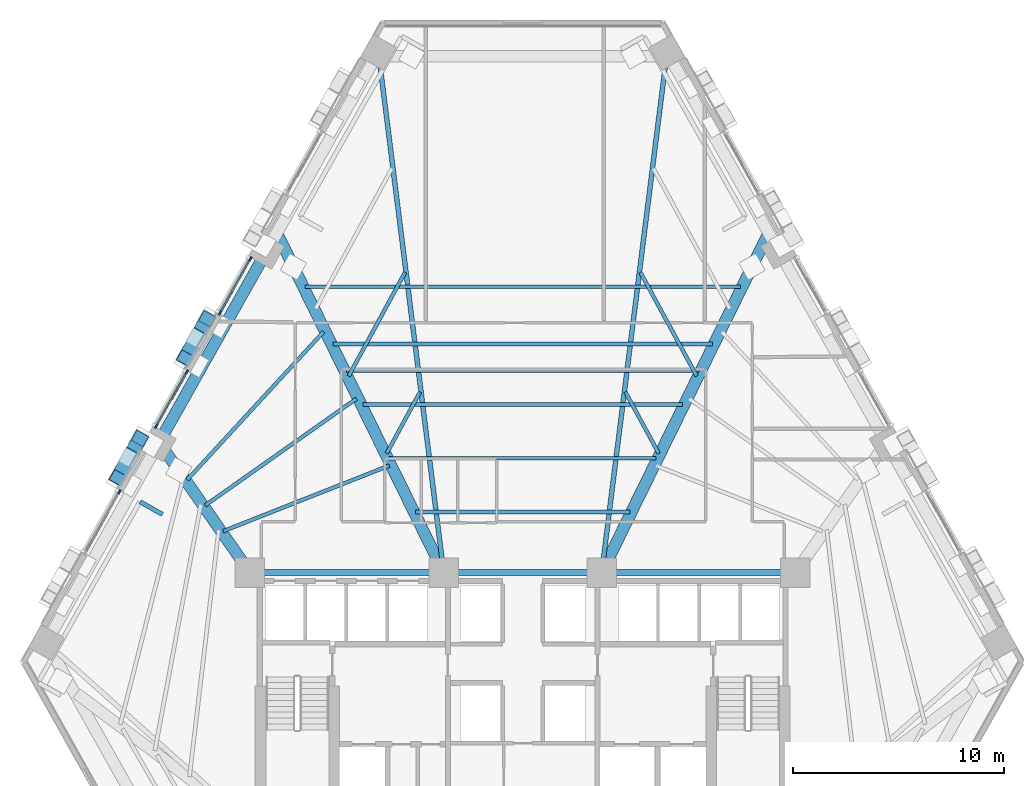
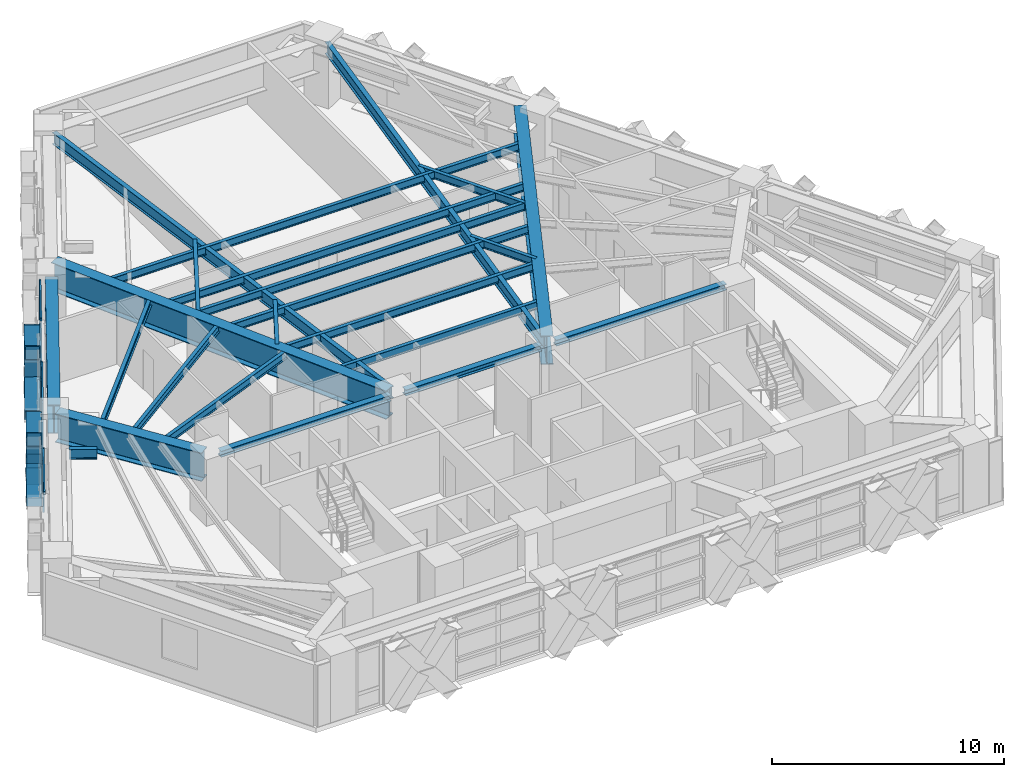
# One storey, part 3 of 14: 23 beams, 18 members, 3 elements without a shape of their own.
"""IFC4 building model written with IfcOpenShell, lengths in metres."""

from ifc_helpers import new_model, si_unit, direction, frame, origin, origin_2d, place, context, subcontext, project, spatial, rectangle, hollow_rectangle, i_section, extrude, material, material_profile, profile_set, type_object, element, aggregate, save


model = new_model("IFC4")

# Units and contexts
model_context = context("Model", 3, precision=1e-05, world=origin(), true_north=direction((0.0, 1.0)))
body_context = subcontext(model_context, "Body", "Model", "MODEL_VIEW")
ifc_project = project(units=[si_unit("LENGTHUNIT", "METRE"), si_unit("AREAUNIT", "SQUARE_METRE"), si_unit("VOLUMEUNIT", "CUBIC_METRE"), si_unit("PLANEANGLEUNIT", "RADIAN"), si_unit("MASSUNIT", "GRAM", prefix="KILO")], contexts=[model_context])

# Site, building, storey
site_placement = place(None, origin())
site = spatial("IfcSite", under=ifc_project, at=site_placement, CompositionType="ELEMENT")
building_placement = place(site_placement, origin())
building = spatial("IfcBuilding", under=site, at=building_placement, Name="Quenlor Broadcast Tower", CompositionType="ELEMENT")
storey_placement = place(building_placement, frame((0.0, 0.0, 73.10009765625)))
storey = spatial("IfcBuildingStorey", under=building, at=storey_placement, Name="L19", CompositionType="ELEMENT", Elevation=73.10009765625)

# Curtain wall, member
ifc_material_1 = material(Name="Architectural Terracotta and Low-E Glazing", Category="masonry")
curtain_wall_type = type_object("IfcCurtainWallType", Name="Unitised Terracotta Curtain Wall System Z1", PredefinedType="NOTDEFINED", material=ifc_material_1)
curtain_wall_1_placement = place(storey_placement, origin())
curtain_wall_1 = element("IfcCurtainWall", 1, at=curtain_wall_1_placement, inside=storey, type_object=curtain_wall_type, Name="L19 Curtain Wall CW1 (L19-NWA-G1)", PredefinedType="NOTDEFINED")
ifc_material_2 = material(Name="Aluminium 6063-T6", Category="aluminium")
ifc_material_profile_1 = material_profile(ifc_material_2, rectangle(XDim=0.080078125, YDim=0.219970703125, at=origin_2d()))
ifc_profile_set_1 = profile_set([ifc_material_profile_1], Name="Aluminium 6063-T6 MULL80x220")
member_type_1 = type_object("IfcMemberType", Name="CW1 Aluminium Mullion MULL_CW1", PredefinedType="MULLION", material=ifc_profile_set_1)
member_1_placement = place(storey_placement, frame((-19.146484375, -0.964599609375, 0.0), z_axis=(0.0, 0.0, 1.0), x_axis=(-0.871577906875, 0.49025702672, 0.0)))
member_1 = element("IfcMember", 2, at=member_1_placement, type_object=member_type_1, Name="CW1 mullion 2", PredefinedType="MULLION", context=body_context, shape_type="SweptSolid", body=[
    extrude(rectangle(XDim=0.080078125, YDim=0.219970703125, at=origin_2d()), origin(), (0.0, 0.0, 1.0), 3.25),
])

# Curtain wall, members
curtain_wall_2_placement = place(storey_placement, origin())
curtain_wall_2 = element("IfcCurtainWall", 3, at=curtain_wall_2_placement, inside=storey, type_object=curtain_wall_type, Name="L19 Curtain Wall CW1 (L19-NW-G1)", PredefinedType="NOTDEFINED")
member_2_placement = place(storey_placement, frame((-17.39501953125, 2.149169921875, 0.0), z_axis=(0.0, 0.0, 1.0), x_axis=(-0.871568481465, 0.490273782815, 0.0)))
member_2 = element("IfcMember", 4, at=member_2_placement, type_object=member_type_1, Name="CW1 mullion 1", PredefinedType="MULLION", context=body_context, shape_type="SweptSolid", body=[
    extrude(rectangle(XDim=0.080078125, YDim=0.219970703125, at=origin_2d()), origin(), (0.0, 0.0, 1.0), 3.25),
])
member_3_placement = place(storey_placement, frame((-15.94970703125, 4.718505859375, 0.0), z_axis=(0.0, 0.0, 1.0), x_axis=(-0.871568481465, 0.490273782815, 0.0)))
member_3 = element("IfcMember", 5, at=member_3_placement, type_object=member_type_1, Name="CW1 mullion 2", PredefinedType="MULLION", context=body_context, shape_type="SweptSolid", body=[
    extrude(rectangle(XDim=0.080078125, YDim=0.219970703125, at=origin_2d()), origin(), (0.0, 0.0, 1.0), 3.25),
])

curtain_wall_3_placement = place(storey_placement, origin())
curtain_wall_3 = element("IfcCurtainWall", 6, at=curtain_wall_3_placement, inside=storey, type_object=curtain_wall_type, Name="L19 Curtain Wall CW1 (L19-NW-G2)", PredefinedType="NOTDEFINED")
member_4_placement = place(storey_placement, frame((-14.371337890625, 7.524658203125, 0.0), z_axis=(0.0, 0.0, 1.0), x_axis=(-0.871568481465, 0.490273782815, 0.0)))
member_4 = element("IfcMember", 7, at=member_4_placement, type_object=member_type_1, Name="CW1 mullion 1", PredefinedType="MULLION", context=body_context, shape_type="SweptSolid", body=[
    extrude(rectangle(XDim=0.080078125, YDim=0.219970703125, at=origin_2d()), origin(), (0.0, 0.0, 1.0), 3.25),
])
member_5_placement = place(storey_placement, frame((-12.926025390625, 10.09423828125, 0.0), z_axis=(0.0, 0.0, 1.0), x_axis=(-0.871568481465, 0.490273782815, 0.0)))
member_5 = element("IfcMember", 8, at=member_5_placement, type_object=member_type_1, Name="CW1 mullion 2", PredefinedType="MULLION", context=body_context, shape_type="SweptSolid", body=[
    extrude(rectangle(XDim=0.080078125, YDim=0.219970703125, at=origin_2d()), origin(), (0.0, 0.0, 1.0), 3.25),
])

# Member
ifc_material_3 = material(Name="Aluminium 6063-T6", Category="aluminium")
ifc_material_profile_2 = material_profile(ifc_material_3, rectangle(XDim=0.080078125, YDim=0.179931640625, at=origin_2d()))
ifc_profile_set_2 = profile_set([ifc_material_profile_2], Name="Aluminium 6063-T6 TRAN80x180")
member_type_2 = type_object("IfcMemberType", Name="CW1 Aluminium Transom TRAN_CW1", PredefinedType="USERDEFINED", material=ifc_profile_set_2)
member_6_placement = place(storey_placement, frame((-20.7451171875, -3.806884765625, 3.2099609375), z_axis=(0.490250443683, 0.871581609758, 0.0), x_axis=(-0.871581609758, 0.490250443683, 0.0)))
member_6 = element("IfcMember", 9, at=member_6_placement, type_object=member_type_2, Name="CW1 transom 1.3", ObjectType="TRANSOM", PredefinedType="USERDEFINED", context=body_context, shape_type="SweptSolid", body=[
    extrude(rectangle(XDim=0.080078125, YDim=0.179931640625, at=origin_2d()), origin(), (0.0, 0.0, 1.0), 3.220947265625),
])

aggregate(curtain_wall_1, [member_1, member_6])

member_7_placement = place(storey_placement, frame((-17.37548828125, 2.183837890625, 0.039794921875), z_axis=(0.490297611432, 0.871555076988, 0.0), x_axis=(-0.871555076988, 0.490297611432, 0.0)))
member_7 = element("IfcMember", 10, at=member_7_placement, type_object=member_type_2, Name="CW1 transom 1.1", ObjectType="TRANSOM", PredefinedType="USERDEFINED", context=body_context, shape_type="SweptSolid", body=[
    extrude(rectangle(XDim=0.080078125, YDim=0.179931640625, at=origin_2d()), origin(), (0.0, 0.0, 1.0), 2.8681640625),
])

member_8_placement = place(storey_placement, frame((-17.37548828125, 2.183837890625, 0.949951171875), z_axis=(0.490297611432, 0.871555076988, 0.0), x_axis=(-0.871555076988, 0.490297611432, 0.0)))
member_8 = element("IfcMember", 11, at=member_8_placement, type_object=member_type_2, Name="CW1 transom 1.2", ObjectType="TRANSOM", PredefinedType="USERDEFINED", context=body_context, shape_type="SweptSolid", body=[
    extrude(rectangle(XDim=0.080078125, YDim=0.179931640625, at=origin_2d()), origin(), (0.0, 0.0, 1.0), 2.8681640625),
])

member_9_placement = place(storey_placement, frame((-17.37548828125, 2.183837890625, 3.2099609375), z_axis=(0.490297611432, 0.871555076988, 0.0), x_axis=(-0.871555076988, 0.490297611432, 0.0)))
member_9 = element("IfcMember", 12, at=member_9_placement, type_object=member_type_2, Name="CW1 transom 1.3", ObjectType="TRANSOM", PredefinedType="USERDEFINED", context=body_context, shape_type="SweptSolid", body=[
    extrude(rectangle(XDim=0.080078125, YDim=0.179931640625, at=origin_2d()), origin(), (0.0, 0.0, 1.0), 2.8681640625),
])

aggregate(curtain_wall_2, [member_2, member_3, member_7, member_8, member_9])

member_10_placement = place(storey_placement, frame((-14.3515625, 7.5595703125, 0.039794921875), z_axis=(0.490232948684, 0.871591450179, 0.0), x_axis=(-0.871591450179, 0.490232948684, 0.0)))
member_10 = element("IfcMember", 13, at=member_10_placement, type_object=member_type_2, Name="CW1 transom 1.1", ObjectType="TRANSOM", PredefinedType="USERDEFINED", context=body_context, shape_type="SweptSolid", body=[
    extrude(rectangle(XDim=0.080078125, YDim=0.179931640625, at=origin_2d()), origin(), (0.0, 0.0, 1.0), 2.867919921875),
])

member_11_placement = place(storey_placement, frame((-14.3515625, 7.5595703125, 0.949951171875), z_axis=(0.490232948684, 0.871591450179, 0.0), x_axis=(-0.871591450179, 0.490232948684, 0.0)))
member_11 = element("IfcMember", 14, at=member_11_placement, type_object=member_type_2, Name="CW1 transom 1.2", ObjectType="TRANSOM", PredefinedType="USERDEFINED", context=body_context, shape_type="SweptSolid", body=[
    extrude(rectangle(XDim=0.080078125, YDim=0.179931640625, at=origin_2d()), origin(), (0.0, 0.0, 1.0), 2.867919921875),
])

member_12_placement = place(storey_placement, frame((-14.3515625, 7.5595703125, 3.2099609375), z_axis=(0.490232948684, 0.871591450179, 0.0), x_axis=(-0.871591450179, 0.490232948684, 0.0)))
member_12 = element("IfcMember", 15, at=member_12_placement, type_object=member_type_2, Name="CW1 transom 1.3", ObjectType="TRANSOM", PredefinedType="USERDEFINED", context=body_context, shape_type="SweptSolid", body=[
    extrude(rectangle(XDim=0.080078125, YDim=0.179931640625, at=origin_2d()), origin(), (0.0, 0.0, 1.0), 2.867919921875),
])

aggregate(curtain_wall_3, [member_4, member_5, member_10, member_11, member_12])

# Beams
ifc_material_4 = material(Name="Steel S355", Category="steel")
ifc_material_profile_3 = material_profile(ifc_material_4, i_section(OverallWidth=0.304931640625, OverallDepth=0.30810546875, WebThickness=0.010009765625, FlangeThickness=0.015380859375, FilletRadius=0.0166015625, at=origin_2d()))
ifc_profile_set_3 = profile_set([ifc_material_profile_3], Name="Steel S355 310UC96.8")
beam_type_1 = type_object("IfcBeamType", Name="Core Header Beam Steel S355 310UC96.8", PredefinedType="BEAM", material=ifc_profile_set_3)
beam_1_placement = place(storey_placement, frame((-3.389892578125, -4.800048828125, 3.095947265625), z_axis=(1.0, 0.0, 0.0), x_axis=(0.0, 1.0, 0.0)))
element("IfcBeam", 16, at=beam_1_placement, inside=storey, type_object=beam_type_1, Name="L19 Core Header Beam 2", PredefinedType="BEAM", context=body_context, shape_type="SweptSolid", body=[
    extrude(i_section(OverallWidth=0.304931640625, OverallDepth=0.30810546875, WebThickness=0.010009765625, FlangeThickness=0.015380859375, FilletRadius=0.0166015625, at=origin_2d()), origin(), (0.0, 0.0, 1.0), 6.77978515625),
])
ifc_material_5 = material(Name="Steel S355", Category="steel")
ifc_material_profile_4 = material_profile(ifc_material_5, i_section(OverallWidth=0.306884765625, OverallDepth=0.314697265625, WebThickness=0.011962890625, FlangeThickness=0.018798828125, FilletRadius=0.0166015625, at=origin_2d()))
ifc_profile_set_4 = profile_set([ifc_material_profile_4], Name="Steel S355 310UC118")
beam_type_2 = type_object("IfcBeamType", Name="Core Tie Beam Steel S355 310UC118", PredefinedType="BEAM", material=ifc_profile_set_4)
for number, where, z_axis, x_axis, name in (
    (17, (-12.590087890625, -4.800048828125, 3.092529296875), (1.0, 0.0, 0.0), (0.0, 1.0, 0.0), "L19 Core Tie Beam 1"),
    (18, (4.110107421875, -4.800048828125, 3.092529296875), (1.0, 0.0, 0.0), (0.0, 1.0, 0.0), "L19 Core Tie Beam 3"),
):
    element("IfcBeam", number, at=place(storey_placement, frame(where, z_axis=z_axis, x_axis=x_axis)), inside=storey, type_object=beam_type_2, Name=name, PredefinedType="BEAM", context=body_context, shape_type="SweptSolid", body=[
        extrude(i_section(OverallWidth=0.306884765625, OverallDepth=0.314697265625, WebThickness=0.011962890625, FlangeThickness=0.018798828125, FilletRadius=0.0166015625, at=origin_2d()), origin(), (0.0, 0.0, 1.0), 8.47998046875),
    ])

# Members
ifc_material_6 = material(Name="Steel S355", Category="steel")
ifc_material_profile_5 = material_profile(ifc_material_6, hollow_rectangle(XDim=0.679931640625, YDim=0.679931640625, WallThickness=0.034912109375, at=origin_2d()))
ifc_profile_set_5 = profile_set([ifc_material_profile_5], Name="Steel S355 RHS680x680x35")
member_type_3 = type_object("IfcMemberType", Name="Perimeter Diagonal Lattice Brace Z1 Steel S355 RHS680x35", PredefinedType="BRACE", material=ifc_profile_set_5)
member_13_placement = place(storey_placement, frame((-19.22802734375, -0.3037109375, -0.1201171875), z_axis=(0.256430888508, 0.455784649039, 0.8523517778), x_axis=(-0.871533027316, 0.490336804959, 0.0)))
element("IfcMember", 19, at=member_13_placement, inside=storey, type_object=member_type_3, Name="L19 Perimeter Diamond Lattice NW-C2XA", PredefinedType="BRACE", context=body_context, shape_type="SweptSolid", body=[
    extrude(hollow_rectangle(XDim=0.679931640625, YDim=0.679931640625, WallThickness=0.034912109375, at=origin_2d()), origin(), (0.0, 0.0, 1.0), 4.106201171875),
])
member_14_placement = place(storey_placement, frame((-18.175048828125, 1.56787109375, -0.1201171875), z_axis=(-0.256451721554, -0.455763724789, 0.852356698618), x_axis=(0.871506382136, -0.490384161547, 0.0)))
element("IfcMember", 20, at=member_14_placement, inside=storey, type_object=member_type_3, Name="L19 Perimeter Diamond Lattice NW-C2XB1", PredefinedType="BRACE", context=body_context, shape_type="SweptSolid", body=[
    extrude(hollow_rectangle(XDim=0.679931640625, YDim=0.679931640625, WallThickness=0.034912109375, at=origin_2d()), origin(), (0.0, 0.0, 1.0), 1.802978515625),
])
member_15_placement = place(storey_placement, frame((-18.765625, 0.518310546875, 1.843017578125), z_axis=(-0.256435894674, -0.455870991217, 0.852304095549), x_axis=(0.871568623966, -0.49027352949, 0.0)))
element("IfcMember", 21, at=member_15_placement, inside=storey, type_object=member_type_3, Name="L19 Perimeter Diamond Lattice NW-C2XB2", PredefinedType="BRACE", context=body_context, shape_type="SweptSolid", body=[
    extrude(hollow_rectangle(XDim=0.679931640625, YDim=0.679931640625, WallThickness=0.034912109375, at=origin_2d()), origin(), (0.0, 0.0, 1.0), 1.80322265625),
])
member_16_placement = place(storey_placement, frame((-16.03125, 5.37939453125, -0.1201171875), z_axis=(0.256368393635, 0.455838699906, 0.852341672343), x_axis=(-0.871608931644, 0.490201866865, 0.0)))
element("IfcMember", 22, at=member_16_placement, inside=storey, type_object=member_type_3, Name="L19 Perimeter Diamond Lattice NW-C3XA", PredefinedType="BRACE", context=body_context, shape_type="SweptSolid", body=[
    extrude(hollow_rectangle(XDim=0.679931640625, YDim=0.679931640625, WallThickness=0.034912109375, at=origin_2d()), origin(), (0.0, 0.0, 1.0), 4.1064453125),
])
for number, where, z_axis, x_axis, name in (
    (23, (-14.978515625, 7.251220703125, -0.1201171875), (-0.256309397679, -0.455886815629, 0.852333681135), (0.871679226863, -0.490076856683, 0.0), "L19 Perimeter Diamond Lattice NW-C3XB1"),
    (24, (-15.56884765625, 6.201416015625, 1.843017578125), (-0.256435894674, -0.455870991217, 0.852304095549), (0.871568623966, -0.49027352949, 0.0), "L19 Perimeter Diamond Lattice NW-C3XB2"),
):
    element("IfcMember", number, at=place(storey_placement, frame(where, z_axis=z_axis, x_axis=x_axis)), inside=storey, type_object=member_type_3, Name=name, PredefinedType="BRACE", context=body_context, shape_type="SweptSolid", body=[
        extrude(hollow_rectangle(XDim=0.679931640625, YDim=0.679931640625, WallThickness=0.034912109375, at=origin_2d()), origin(), (0.0, 0.0, 1.0), 1.80322265625),
    ])

# Beams
ifc_material_7 = material(Name="Steel S355", Category="steel")
ifc_material_profile_6 = material_profile(ifc_material_7, i_section(OverallWidth=0.208984375, OverallDepth=0.532958984375, WebThickness=0.01025390625, FlangeThickness=0.015625, FilletRadius=0.013916015625, at=origin_2d()))
ifc_profile_set_6 = profile_set([ifc_material_profile_6], Name="Steel S355 530UB92.4")
beam_type_3 = type_object("IfcBeamType", Name="Perimeter Spandrel Beam Z1 Steel S355 530UB92.4", PredefinedType="SPANDREL", material=ifc_profile_set_6)
beam_2_placement = place(storey_placement, frame((-17.105224609375, -2.038818359375, 2.9833984375), z_axis=(-0.871661741425, 0.490107956001, 0.0), x_axis=(-0.490107956001, -0.871661741425, 0.0)))
element("IfcBeam", 25, at=beam_2_placement, inside=storey, type_object=beam_type_3, Name="L19 Lattice Sill Radial Tie NWA2", PredefinedType="SPANDREL", context=body_context, shape_type="SweptSolid", body=[
    extrude(i_section(OverallWidth=0.208984375, OverallDepth=0.532958984375, WebThickness=0.01025390625, FlangeThickness=0.015625, FilletRadius=0.013916015625, at=origin_2d()), origin(), (0.0, 0.0, 1.0), 1.2099609375),
])
ifc_material_8 = material(Name="Steel S355", Category="steel")
ifc_material_profile_7 = material_profile(ifc_material_8, i_section(OverallWidth=0.177978515625, OverallDepth=0.406494140625, WebThickness=0.0078125, FlangeThickness=0.0126953125, FilletRadius=0.011474609375, at=origin_2d()))
ifc_profile_set_7 = profile_set([ifc_material_profile_7], Name="Steel S355 410UB59.7")
beam_type_4 = type_object("IfcBeamType", Name="Tower Composite Joist Z1 Steel S355 410UB59.7", PredefinedType="JOIST", material=ifc_profile_set_7)
beam_3_placement = place(storey_placement, frame((-5.08203125, -1.927490234375, 3.046630859375), z_axis=(1.0, 0.0, 0.0), x_axis=(0.0, 1.0, 0.0)))
element("IfcBeam", 26, at=beam_3_placement, inside=storey, type_object=beam_type_4, Name="L19 Secondary Composite Joist 1", PredefinedType="JOIST", context=body_context, shape_type="SweptSolid", body=[
    extrude(i_section(OverallWidth=0.177978515625, OverallDepth=0.406494140625, WebThickness=0.0078125, FlangeThickness=0.0126953125, FilletRadius=0.011474609375, at=origin_2d()), origin(), (0.0, 0.0, 1.0), 10.1640625),
])
beam_4_placement = place(storey_placement, frame((-8.376708984375, 4.775390625, 3.046630859375), z_axis=(1.0, 0.0, 0.0), x_axis=(0.0, 1.0, 0.0)))
element("IfcBeam", 27, at=beam_4_placement, inside=storey, type_object=beam_type_4, Name="L19 Secondary Composite Joist 2", PredefinedType="JOIST", context=body_context, shape_type="SweptSolid", body=[
    extrude(i_section(OverallWidth=0.177978515625, OverallDepth=0.406494140625, WebThickness=0.0078125, FlangeThickness=0.0126953125, FilletRadius=0.011474609375, at=origin_2d()), origin(), (0.0, 0.0, 1.0), 16.75341796875),
])
beam_5_placement = place(storey_placement, frame((-6.337158203125, 0.626220703125, 3.046630859375), z_axis=(1.0, 0.0, 0.0), x_axis=(0.0, 1.0, 0.0)))
element("IfcBeam", 28, at=beam_5_placement, inside=storey, type_object=beam_type_4, Name="L19 Secondary Composite Joist 3", PredefinedType="JOIST", context=body_context, shape_type="SweptSolid", body=[
    extrude(i_section(OverallWidth=0.177978515625, OverallDepth=0.406494140625, WebThickness=0.0078125, FlangeThickness=0.0126953125, FilletRadius=0.011474609375, at=origin_2d()), origin(), (0.0, 0.0, 1.0), 12.67431640625),
])
beam_6_placement = place(storey_placement, frame((-7.59228515625, 3.179443359375, 3.046630859375), z_axis=(1.0, 0.0, 0.0), x_axis=(0.0, 1.0, 0.0)))
element("IfcBeam", 29, at=beam_6_placement, inside=storey, type_object=beam_type_4, Name="L19 Secondary Composite Joist 4", PredefinedType="JOIST", context=body_context, shape_type="SweptSolid", body=[
    extrude(i_section(OverallWidth=0.177978515625, OverallDepth=0.406494140625, WebThickness=0.0078125, FlangeThickness=0.0126953125, FilletRadius=0.011474609375, at=origin_2d()), origin(), (0.0, 0.0, 1.0), 15.1845703125),
])
beam_7_placement = place(storey_placement, frame((-9.004150390625, 6.05224609375, 3.046630859375), z_axis=(1.0, 0.0, 0.0), x_axis=(0.0, 1.0, 0.0)))
element("IfcBeam", 30, at=beam_7_placement, inside=storey, type_object=beam_type_4, Name="L19 Secondary Composite Joist 5", PredefinedType="JOIST", context=body_context, shape_type="SweptSolid", body=[
    extrude(i_section(OverallWidth=0.177978515625, OverallDepth=0.406494140625, WebThickness=0.0078125, FlangeThickness=0.0126953125, FilletRadius=0.011474609375, at=origin_2d()), origin(), (0.0, 0.0, 1.0), 18.00830078125),
])
beam_8_placement = place(storey_placement, frame((-10.337646484375, 8.76513671875, 3.046630859375), z_axis=(1.0, 0.0, 0.0), x_axis=(0.0, 1.0, 0.0)))
element("IfcBeam", 31, at=beam_8_placement, inside=storey, type_object=beam_type_4, Name="L19 Secondary Composite Joist 6", PredefinedType="JOIST", context=body_context, shape_type="SweptSolid", body=[
    extrude(i_section(OverallWidth=0.177978515625, OverallDepth=0.406494140625, WebThickness=0.0078125, FlangeThickness=0.0126953125, FilletRadius=0.011474609375, at=origin_2d()), origin(), (0.0, 0.0, 1.0), 20.67529296875),
])
beam_9_placement = place(storey_placement, frame((-14.223388671875, -2.839599609375, 3.046630859375), z_axis=(0.930024787145, 0.367496796307, 0.0), x_axis=(-0.367496796307, 0.930024787145, 0.0)))
element("IfcBeam", 32, at=beam_9_placement, inside=storey, type_object=beam_type_4, Name="L19 Secondary Composite Joist 7", PredefinedType="JOIST", context=body_context, shape_type="SweptSolid", body=[
    extrude(i_section(OverallWidth=0.177978515625, OverallDepth=0.406494140625, WebThickness=0.0078125, FlangeThickness=0.0126953125, FilletRadius=0.011474609375, at=origin_2d()), origin(), (0.0, 0.0, 1.0), 8.482177734375),
])
beam_10_placement = place(storey_placement, frame((-15.07470703125, -1.6162109375, 3.046630859375), z_axis=(0.816950927249, 0.57670718954, 0.0), x_axis=(-0.57670718954, 0.816950927249, 0.0)))
element("IfcBeam", 33, at=beam_10_placement, inside=storey, type_object=beam_type_4, Name="L19 Secondary Composite Joist 8", PredefinedType="JOIST", context=body_context, shape_type="SweptSolid", body=[
    extrude(i_section(OverallWidth=0.177978515625, OverallDepth=0.406494140625, WebThickness=0.0078125, FlangeThickness=0.0126953125, FilletRadius=0.011474609375, at=origin_2d()), origin(), (0.0, 0.0, 1.0), 8.789306640625),
])
beam_11_placement = place(storey_placement, frame((-15.927978515625, -0.396484375, 3.046630859375), z_axis=(0.677623047975, 0.735409413084, 0.0), x_axis=(-0.735409413084, 0.677623047975, 0.0)))
element("IfcBeam", 34, at=beam_11_placement, inside=storey, type_object=beam_type_4, Name="L19 Secondary Composite Joist 9", PredefinedType="JOIST", context=body_context, shape_type="SweptSolid", body=[
    extrude(i_section(OverallWidth=0.177978515625, OverallDepth=0.406494140625, WebThickness=0.0078125, FlangeThickness=0.0126953125, FilletRadius=0.011474609375, at=origin_2d()), origin(), (0.0, 0.0, 1.0), 9.556640625),
])
beam_12_placement = place(storey_placement, frame((-4.87353515625, 3.772705078125, 3.046630859375), z_axis=(-0.477233079218, -0.878776756691, 0.0), x_axis=(0.878776756691, -0.477233079218, 0.0)))
element("IfcBeam", 35, at=beam_12_placement, inside=storey, type_object=beam_type_4, Name="L19 Secondary Composite Joist 25", PredefinedType="JOIST", context=body_context, shape_type="SweptSolid", body=[
    extrude(i_section(OverallWidth=0.177978515625, OverallDepth=0.406494140625, WebThickness=0.0078125, FlangeThickness=0.0126953125, FilletRadius=0.011474609375, at=origin_2d()), origin(), (0.0, 0.0, 1.0), 3.319091796875),
])
beam_13_placement = place(storey_placement, frame((-5.586669921875, 9.45263671875, 3.046630859375), z_axis=(-0.47721872959, -0.878784549323, 0.0), x_axis=(0.878784549323, -0.47721872959, 0.0)))
element("IfcBeam", 36, at=beam_13_placement, inside=storey, type_object=beam_type_4, Name="L19 Secondary Composite Joist 26", PredefinedType="JOIST", context=body_context, shape_type="SweptSolid", body=[
    extrude(i_section(OverallWidth=0.177978515625, OverallDepth=0.406494140625, WebThickness=0.0078125, FlangeThickness=0.0126953125, FilletRadius=0.011474609375, at=origin_2d()), origin(), (0.0, 0.0, 1.0), 5.60546875),
])
beam_14_placement = place(storey_placement, frame((4.87353515625, 3.772705078125, 3.046630859375), z_axis=(0.477233079218, -0.878776756691, 0.0), x_axis=(0.878776756691, 0.477233079218, 0.0)))
element("IfcBeam", 37, at=beam_14_placement, inside=storey, type_object=beam_type_4, Name="L19 Secondary Composite Joist 28", PredefinedType="JOIST", context=body_context, shape_type="SweptSolid", body=[
    extrude(i_section(OverallWidth=0.177978515625, OverallDepth=0.406494140625, WebThickness=0.0078125, FlangeThickness=0.0126953125, FilletRadius=0.011474609375, at=origin_2d()), origin(), (0.0, 0.0, 1.0), 3.319091796875),
])
beam_15_placement = place(storey_placement, frame((5.586669921875, 9.45263671875, 3.046630859375), z_axis=(0.47721872959, -0.878784549323, 0.0), x_axis=(0.878784549323, 0.47721872959, 0.0)))
element("IfcBeam", 38, at=beam_15_placement, inside=storey, type_object=beam_type_4, Name="L19 Secondary Composite Joist 29", PredefinedType="JOIST", context=body_context, shape_type="SweptSolid", body=[
    extrude(i_section(OverallWidth=0.177978515625, OverallDepth=0.406494140625, WebThickness=0.0078125, FlangeThickness=0.0126953125, FilletRadius=0.011474609375, at=origin_2d()), origin(), (0.0, 0.0, 1.0), 5.60546875),
])
ifc_material_9 = material(Name="Steel S355", Category="steel")
ifc_material_profile_8 = material_profile(ifc_material_9, i_section(OverallWidth=0.22900390625, OverallDepth=0.611572265625, WebThickness=0.011962890625, FlangeThickness=0.01953125, FilletRadius=0.013916015625, at=origin_2d()))
ifc_profile_set_8 = profile_set([ifc_material_profile_8], Name="Steel S355 610UB125")
beam_type_5 = type_object("IfcBeamType", Name="Tower Primary Floor Beam Z1 Steel S355 610UB125", PredefinedType="BEAM", material=ifc_profile_set_8)
for number, where, z_axis, x_axis, name in (
    (39, (6.7998046875, 19.48779296875, 2.944091796875), (-0.124589575762, -0.99220836401, 0.0), (0.99220836401, -0.124589575762, 0.0), "L19 Primary Radial Beam NE4"),
    (40, (-6.7998046875, 19.48779296875, 2.944091796875), (0.124589575762, -0.99220836401, 0.0), (0.99220836401, 0.124589575762, 0.0), "L19 Primary Radial Beam NW1"),
):
    element("IfcBeam", number, at=place(storey_placement, frame(where, z_axis=z_axis, x_axis=x_axis)), inside=storey, type_object=beam_type_5, Name=name, PredefinedType="BEAM", context=body_context, shape_type="SweptSolid", body=[
        extrude(i_section(OverallWidth=0.22900390625, OverallDepth=0.611572265625, WebThickness=0.011962890625, FlangeThickness=0.01953125, FilletRadius=0.013916015625, at=origin_2d()), origin(), (0.0, 0.0, 1.0), 24.0986328125),
    ])
ifc_material_10 = material(Name="Steel S355", Category="steel")
ifc_material_profile_9 = material_profile(ifc_material_10, i_section(OverallWidth=0.550048828125, OverallDepth=1.5, WebThickness=0.02197265625, FlangeThickness=0.034912109375, FilletRadius=0.01806640625, at=origin_2d()))
ifc_profile_set_9 = profile_set([ifc_material_profile_9], Name="Steel S355 1500TG510")
beam_type_6 = type_object("IfcBeamType", Name="Zone Setback Transfer Girder Steel S355 1500", PredefinedType="BEAM", material=ifc_profile_set_9)
beam_16_placement = place(storey_placement, frame((-12.364013671875, 10.093505859375, 2.5), z_axis=(-0.490257642051, -0.871577560755, 0.0), x_axis=(0.871577560755, -0.490257642051, 0.0)))
element("IfcBeam", 41, at=beam_16_placement, inside=storey, type_object=beam_type_6, Name="L19 Spandrel Beam NW2-NW3", PredefinedType="BEAM", context=body_context, shape_type="SweptSolid", body=[
    extrude(i_section(OverallWidth=0.550048828125, OverallDepth=1.5, WebThickness=0.02197265625, FlangeThickness=0.034912109375, FilletRadius=0.01806640625, at=origin_2d()), origin(), (0.0, 0.0, 1.0), 9.665771484375),
])
for number, where, z_axis, x_axis, name in (
    (42, (3.91748046875, -4.458984375, 2.5), (0.441131680974, 0.897442388146, 0.0), (-0.897442388146, 0.441131680974, 0.0), "L19 Setback Transfer Girder NE3"),
    (43, (-3.91748046875, -4.458984375, 2.5), (-0.441131680974, 0.897442388146, 0.0), (-0.897442388146, -0.441131680974, 0.0), "L19 Setback Transfer Girder NW2"),
):
    element("IfcBeam", number, at=place(storey_placement, frame(where, z_axis=z_axis, x_axis=x_axis)), inside=storey, type_object=beam_type_6, Name=name, PredefinedType="BEAM", context=body_context, shape_type="SweptSolid", body=[
        extrude(i_section(OverallWidth=0.550048828125, OverallDepth=1.5, WebThickness=0.02197265625, FlangeThickness=0.034912109375, FilletRadius=0.01806640625, at=origin_2d()), origin(), (0.0, 0.0, 1.0), 17.403076171875),
    ])
beam_17_placement = place(storey_placement, frame((-13.16748046875, -4.48828125, 2.5), z_axis=(-0.572351226308, 0.820008581506, 0.0), x_axis=(-0.820008581506, -0.572351226308, 0.0)))
element("IfcBeam", 44, at=beam_17_placement, inside=storey, type_object=beam_type_6, Name="L19 Setback Transfer Girder NW3", PredefinedType="BEAM", context=body_context, shape_type="SweptSolid", body=[
    extrude(i_section(OverallWidth=0.550048828125, OverallDepth=1.5, WebThickness=0.02197265625, FlangeThickness=0.034912109375, FilletRadius=0.01806640625, at=origin_2d()), origin(), (0.0, 0.0, 1.0), 6.978515625),
])

save(model, "model.ifc")
